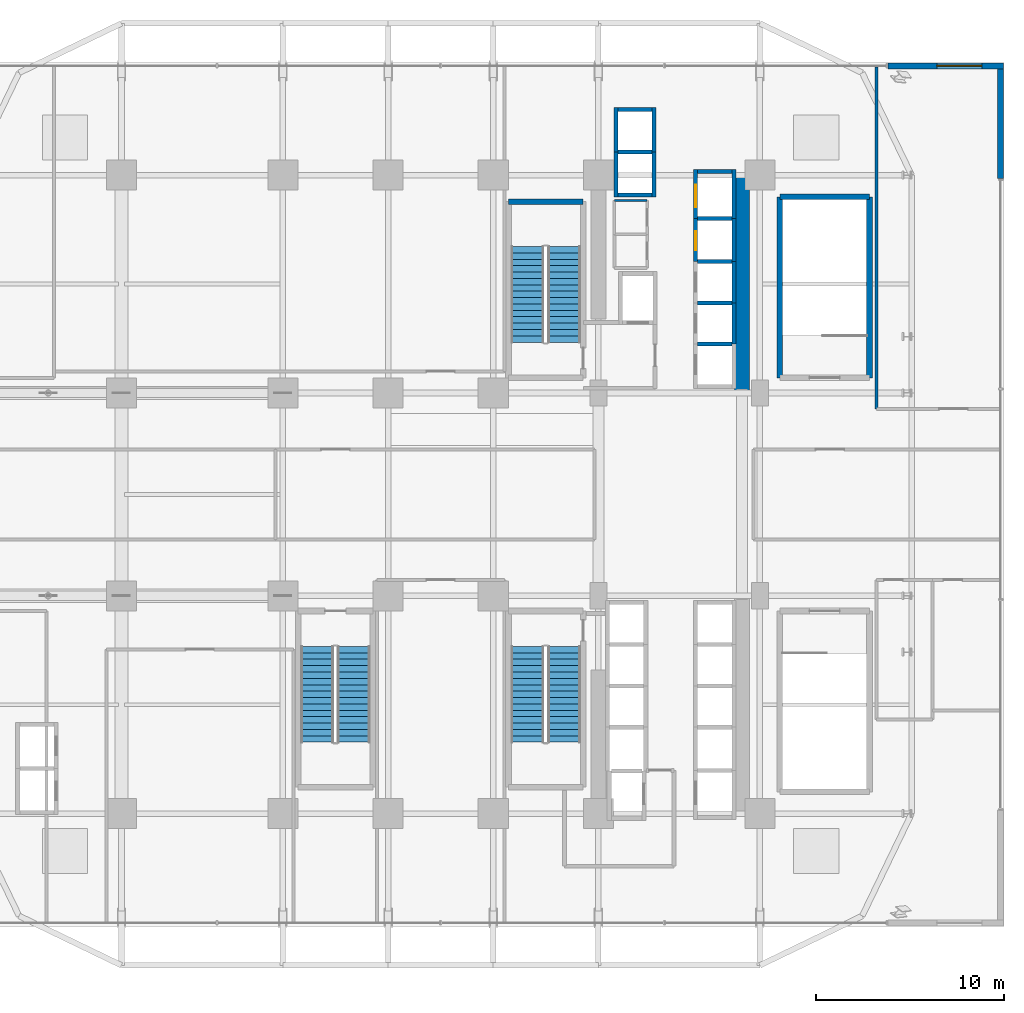
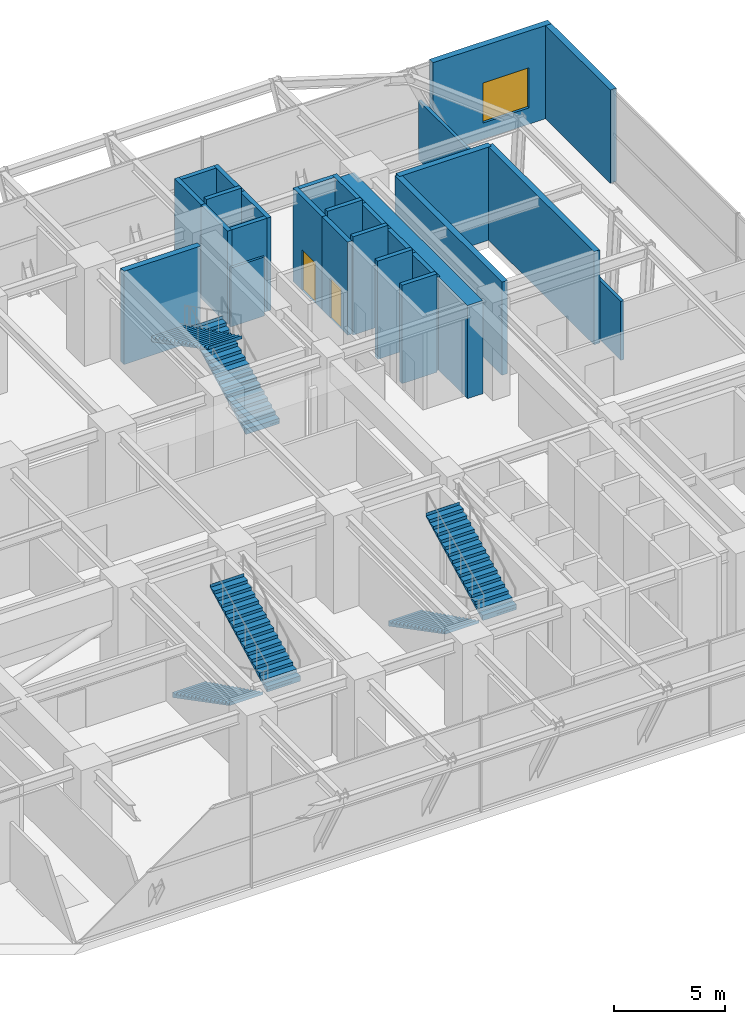
# One storey, part 23 of 29: 27 walls, 6 stair flights, 2 doors, 1 window, 3 openings, 3 elements without a shape of their own.
"""IFC4 building model written with IfcOpenShell, lengths in metres."""

from ifc_helpers import new_model, si_unit, direction, frame, frame_2d, origin, place, context, subcontext, project, spatial, polyline, rectangle, outline, extrude, source, transform, mapped, material, layer, layer_set, type_object, element, fill, aggregate, save


model = new_model("IFC4")

# Units and contexts
model_context = context("Model", 3, precision=1e-05, world=origin(), true_north=direction((0.0, 1.0)))
body_context = subcontext(model_context, "Body", "Model", "MODEL_VIEW")
ifc_project = project(units=[si_unit("LENGTHUNIT", "METRE"), si_unit("AREAUNIT", "SQUARE_METRE"), si_unit("VOLUMEUNIT", "CUBIC_METRE"), si_unit("PLANEANGLEUNIT", "RADIAN"), si_unit("MASSUNIT", "GRAM", prefix="KILO")], contexts=[model_context])

# Site, building, storey
site_placement = place(None, origin())
site = spatial("IfcSite", under=ifc_project, at=site_placement, CompositionType="ELEMENT")
building_placement = place(site_placement, origin())
building = spatial("IfcBuilding", under=site, at=building_placement, Name="Nahalor Promenade Grand Hotel", CompositionType="ELEMENT")
storey_placement = place(building_placement, frame((0.0, 0.0, 27.0)))
storey = spatial("IfcBuildingStorey", under=building, at=storey_placement, Name="L05", CompositionType="ELEMENT", Elevation=27.0)

# Walls
ifc_material_1 = material(Name="Concrete B-70 (C60/75)", Category="concrete")
ifc_layer_1 = layer(ifc_material_1, 0.800048828125)
ifc_layer_set_1 = layer_set([ifc_layer_1], Name="Concrete B-70 (C60/75)")
wall_type_1 = type_object("IfcWallType", Name="Wall-CoreShear-800", PredefinedType="SHEAR", material=ifc_layer_set_1)
shared_shape_1 = source(origin(), body_context, "Body", "SweptSolid", [
    extrude(rectangle(XDim=11.60009765625, YDim=0.800048828125, at=frame_2d((5.800048828125, 0.0))), origin(), (0.0, 0.0, 1.0), 5.1201171875),
])
wall_1_placement = place(storey_placement, frame((16.050048828125, 5.39990234375, 0.0), z_axis=(0.0, 0.0, 1.0), x_axis=(0.0, 1.0, 0.0)))
element("IfcWall", 1, at=wall_1_placement, inside=storey, type_object=wall_type_1, Name="CWALL-L05-NE", PredefinedType="SHEAR", context=body_context, shape_type="MappedRepresentation", body=[
    mapped(shared_shape_1, transform((0.0, 0.0, 0.0), scale=1.0)),
])
ifc_material_2 = material(Name="Concrete B-50 (C40/50)", Category="concrete")
ifc_layer_2 = layer(ifc_material_2, 0.300048828125)
ifc_layer_set_2 = layer_set([ifc_layer_2], Name="Concrete B-50 (C40/50)")
wall_type_2 = type_object("IfcWallType", Name="Wall-ShaftShear-300", PredefinedType="SHEAR", material=ifc_layer_set_2)
shared_shape_2 = source(origin(), body_context, "Body", "SweptSolid", [
    extrude(rectangle(XDim=3.97998046875, YDim=0.300048828125, at=frame_2d((1.989990234375, 0.0))), origin(), (0.0, 0.0, 1.0), 5.1201171875),
])
wall_2_placement = place(storey_placement, frame((3.610107421875, 15.590087890625, 0.0), z_axis=(0.0, 0.0, 1.0), x_axis=(1.0, 0.0, 0.0)))
element("IfcWall", 2, at=wall_2_placement, inside=storey, type_object=wall_type_2, Name="L05 Exit Stair ST1 Shaft Wall N", PredefinedType="SHEAR", context=body_context, shape_type="MappedRepresentation", body=[
    mapped(shared_shape_2, transform((0.0, 0.0, 0.0), scale=1.0)),
])
shared_shape_3 = source(origin(), body_context, "Body", "SweptSolid", [
    extrude(rectangle(XDim=4.780029296875, YDim=0.300048828125, at=frame_2d((2.39013671875, 0.0))), origin(), (0.0, 0.0, 1.0), 5.1201171875),
])
wall_3_placement = place(storey_placement, frame((18.06005859375, 15.840087890625, 0.0), z_axis=(0.0, 0.0, 1.0), x_axis=(1.0, 0.0, 0.0)))
element("IfcWall", 3, at=wall_3_placement, inside=storey, type_object=wall_type_2, Name="L05 Exit Stair ST4 Shaft Wall N", PredefinedType="SHEAR", context=body_context, shape_type="MappedRepresentation", body=[
    mapped(shared_shape_3, transform((0.0, 0.0, 0.0), scale=1.0)),
])
shared_shape_4 = source(origin(), body_context, "Body", "SweptSolid", [
    extrude(rectangle(XDim=9.630126953125, YDim=0.300048828125, at=frame_2d((4.81494140625, 0.0))), origin(), (0.0, 0.0, 1.0), 5.1201171875),
])
for number, where, z_axis, x_axis, name in (
    (4, (18.06005859375, 6.2099609375, 0.0), (0.0, 0.0, 1.0), (0.0, 1.0, 0.0), "L05 Exit Stair ST4 Shaft Wall W"),
    (5, (22.840087890625, 6.2099609375, 0.0), (0.0, 0.0, 1.0), (0.0, 1.0, 0.0), "L05 Exit Stair ST4 Shaft Wall E"),
):
    element("IfcWall", number, at=place(storey_placement, frame(where, z_axis=z_axis, x_axis=x_axis)), inside=storey, type_object=wall_type_2, Name=name, PredefinedType="SHEAR", context=body_context, shape_type="MappedRepresentation", body=[
        mapped(shared_shape_4, transform((0.0, 0.0, 0.0), scale=1.0)),
    ])
ifc_layer_3 = layer(ifc_material_2, 0.219970703125)
ifc_layer_set_3 = layer_set([ifc_layer_3], Name="Concrete B-50 (C40/50)")
wall_type_3 = type_object("IfcWallType", Name="Wall-LiftShaft-220", PredefinedType="SHEAR", material=ifc_layer_set_3)
shared_shape_5 = source(origin(), body_context, "Body", "SweptSolid", [
    extrude(rectangle(XDim=1.820068359375, YDim=0.219970703125, at=frame_2d((0.91015625, 0.0))), origin(), (0.0, 0.0, 1.0), 5.39990234375),
])
for number, where, z_axis, x_axis, name in (
    (6, (13.68994140625, 8.0, 0.0), (0.0, 0.0, 1.0), (1.0, 0.0, 0.0), "L05 Lift PL1 Hoistway Wall N"),
    (7, (13.68994140625, 10.199951171875, 0.0), (0.0, 0.0, 1.0), (1.0, 0.0, 0.0), "L05 Lift PL2 Hoistway Wall N"),
    (8, (13.68994140625, 12.39990234375, 0.0), (0.0, 0.0, 1.0), (1.0, 0.0, 0.0), "L05 Lift PL3 Hoistway Wall N"),
    (9, (13.68994140625, 14.699951171875, 0.0), (0.0, 0.0, 1.0), (1.0, 0.0, 0.0), "L05 Lift PL4 Hoistway Wall N"),
    (10, (9.43994140625, 18.22509765625, 0.0), (0.0, 0.0, 1.0), (1.0, 0.0, 0.0), "L05 Lift OB1 Hoistway Wall N"),
):
    element("IfcWall", number, at=place(storey_placement, frame(where, z_axis=z_axis, x_axis=x_axis)), inside=storey, type_object=wall_type_3, Name=name, PredefinedType="SHEAR", context=body_context, shape_type="MappedRepresentation", body=[
        mapped(shared_shape_5, transform((0.0, 0.0, 0.0), scale=1.0)),
    ])
shared_shape_6 = source(origin(), body_context, "Body", "SweptSolid", [
    extrude(rectangle(XDim=1.820068359375, YDim=0.219970703125, at=frame_2d((0.91015625, 0.0))), origin(), (0.0, 0.0, 1.0), 5.1201171875),
])
for number, where, z_axis, x_axis, name in (
    (11, (9.43994140625, 15.949951171875, 0.0), (0.0, 0.0, 1.0), (1.0, 0.0, 0.0), "L05 Lift OB1 Hoistway Wall S"),
    (12, (9.43994140625, 20.5, 0.0), (0.0, 0.0, 1.0), (1.0, 0.0, 0.0), "L05 Lift OB2 Hoistway Wall N"),
    (13, (13.68994140625, 17.199951171875, 0.0), (0.0, 0.0, 1.0), (1.0, 0.0, 0.0), "L05 Lift SV1 Hoistway Wall N"),
):
    element("IfcWall", number, at=place(storey_placement, frame(where, z_axis=z_axis, x_axis=x_axis)), inside=storey, type_object=wall_type_3, Name=name, PredefinedType="SHEAR", context=body_context, shape_type="MappedRepresentation", body=[
        mapped(shared_shape_6, transform((0.0, 0.0, 0.0), scale=1.0)),
    ])
shared_shape_7 = source(origin(), body_context, "Body", "SweptSolid", [
    extrude(rectangle(XDim=2.199951171875, YDim=0.219970703125, at=frame_2d((1.10009765625, 0.0))), origin(), (0.0, 0.0, 1.0), 5.1201171875),
])
for number, where, z_axis, x_axis, name in (
    (14, (15.6201171875, 8.0, 0.0), (0.0, 0.0, 1.0), (0.0, 1.0, 0.0), "L05 Lift PL2 Hoistway Wall E"),
    (15, (15.6201171875, 10.199951171875, 0.0), (0.0, 0.0, 1.0), (0.0, 1.0, 0.0), "L05 Lift PL3 Hoistway Wall E"),
):
    element("IfcWall", number, at=place(storey_placement, frame(where, z_axis=z_axis, x_axis=x_axis)), inside=storey, type_object=wall_type_3, Name=name, PredefinedType="SHEAR", context=body_context, shape_type="MappedRepresentation", body=[
        mapped(shared_shape_7, transform((0.0, 0.0, 0.0), scale=1.0)),
    ])

# Wall, opening, door
shared_shape_8 = source(origin(), body_context, "Body", "SweptSolid", [
    extrude(rectangle(XDim=2.300048828125, YDim=0.219970703125, at=frame_2d((1.14990234375, 0.0))), origin(), (0.0, 0.0, 1.0), 5.1201171875),
])
wall_4_placement = place(storey_placement, frame((13.580078125, 12.39990234375, 0.0), z_axis=(0.0, 0.0, 1.0), x_axis=(0.0, 1.0, 0.0)))
wall_4 = element("IfcWall", 16, at=wall_4_placement, inside=storey, type_object=wall_type_3, Name="L05 Lift PL4 Hoistway Wall W", PredefinedType="SHEAR", context=body_context, shape_type="MappedRepresentation", body=[
    mapped(shared_shape_8, transform((0.0, 0.0, 0.0), scale=1.0)),
])
opening_1_placement = place(wall_4_placement, frame((0.60009765625, 0.0, 0.0)))
opening_1 = element("IfcOpeningElement", 17, at=opening_1_placement, cuts=wall_4, Name="Opening LD-01", PredefinedType="OPENING", context=body_context, shape_type="SweptSolid", body=[
    extrude(rectangle(XDim=1.0, YDim=2.199951171875, at=frame_2d((0.5, 1.10009765625))), frame((0.0, 0.119873046875, 0.0), z_axis=(0.0, -1.0, 0.0), x_axis=(1.0, 0.0, 0.0)), (0.0, 0.0, 1.0), 0.239990234375),
])
ifc_material_3 = material(Name="Steel S355JR", Category="steel")
door_type_1 = type_object("IfcDoorType", Name="Door-LiftLanding-1000", OperationType="DOUBLE_DOOR_SLIDING", PredefinedType="DOOR", material=ifc_material_3)
shared_shape_9 = source(origin(), body_context, "Body", "SweptSolid", [
    extrude(rectangle(XDim=1.0, YDim=2.199951171875, at=frame_2d((0.5, 1.10009765625))), frame((0.0, 0.02490234375, 0.0), z_axis=(0.0, -1.0, 0.0), x_axis=(1.0, 0.0, 0.0)), (0.0, 0.0, 1.0), 0.050048828125),
])
door_1_placement = place(opening_1_placement, origin())
door_1 = element("IfcDoor", 18, at=door_1_placement, inside=storey, type_object=door_type_1, Name="DR-LIFT-PL4-L05", OperationType="DOUBLE_DOOR_SLIDING", OverallHeight=2.199951171875, OverallWidth=1.0, PredefinedType="DOOR", context=body_context, shape_type="MappedRepresentation", body=[
    mapped(shared_shape_9, transform((0.0, 0.0, 0.0), scale=1.0)),
])
fill(opening_1, door_1)

# Walls
wall_5_placement = place(storey_placement, frame((15.6201171875, 12.39990234375, 0.0), z_axis=(0.0, 0.0, 1.0), x_axis=(0.0, 1.0, 0.0)))
element("IfcWall", 19, at=wall_5_placement, inside=storey, type_object=wall_type_3, Name="L05 Lift PL4 Hoistway Wall E", PredefinedType="SHEAR", context=body_context, shape_type="MappedRepresentation", body=[
    mapped(shared_shape_8, transform((0.0, 0.0, 0.0), scale=1.0)),
])
shared_shape_10 = source(origin(), body_context, "Body", "SweptSolid", [
    extrude(rectangle(XDim=2.385009765625, YDim=0.219970703125, at=frame_2d((1.1923828125, 0.0))), origin(), (0.0, 0.0, 1.0), 5.1201171875),
])
for number, where, z_axis, x_axis, name in (
    (20, (9.330078125, 15.840087890625, 0.0), (0.0, 0.0, 1.0), (0.0, 1.0, 0.0), "L05 Lift OB1 Hoistway Wall W"),
    (21, (11.3701171875, 15.840087890625, 0.0), (0.0, 0.0, 1.0), (0.0, 1.0, 0.0), "L05 Lift OB1 Hoistway Wall E"),
    (22, (9.330078125, 18.22509765625, 0.0), (0.0, 0.0, 1.0), (0.0, 1.0, 0.0), "L05 Lift OB2 Hoistway Wall W"),
    (23, (11.3701171875, 18.22509765625, 0.0), (0.0, 0.0, 1.0), (0.0, 1.0, 0.0), "L05 Lift OB2 Hoistway Wall E"),
):
    element("IfcWall", number, at=place(storey_placement, frame(where, z_axis=z_axis, x_axis=x_axis)), inside=storey, type_object=wall_type_3, Name=name, PredefinedType="SHEAR", context=body_context, shape_type="MappedRepresentation", body=[
        mapped(shared_shape_10, transform((0.0, 0.0, 0.0), scale=1.0)),
    ])

# Wall, opening, door
shared_shape_11 = source(origin(), body_context, "Body", "SweptSolid", [
    extrude(rectangle(XDim=2.610107421875, YDim=0.219970703125, at=frame_2d((1.30517578125, 0.0))), origin(), (0.0, 0.0, 1.0), 5.1201171875),
])
wall_6_placement = place(storey_placement, frame((13.580078125, 14.699951171875, 0.0), z_axis=(0.0, 0.0, 1.0), x_axis=(0.0, 1.0, 0.0)))
wall_6 = element("IfcWall", 24, at=wall_6_placement, inside=storey, type_object=wall_type_3, Name="L05 Lift SV1 Hoistway Wall W", PredefinedType="SHEAR", context=body_context, shape_type="MappedRepresentation", body=[
    mapped(shared_shape_11, transform((0.0, 0.0, 0.0), scale=1.0)),
])
opening_2_placement = place(wall_6_placement, frame((0.60009765625, 0.0, 0.0)))
opening_2 = element("IfcOpeningElement", 25, at=opening_2_placement, cuts=wall_6, Name="Opening LD-03", PredefinedType="OPENING", context=body_context, shape_type="SweptSolid", body=[
    extrude(rectangle(XDim=1.199951171875, YDim=2.199951171875, at=frame_2d((0.60009765625, 1.10009765625))), frame((0.0, 0.119873046875, 0.0), z_axis=(0.0, -1.0, 0.0), x_axis=(1.0, 0.0, 0.0)), (0.0, 0.0, 1.0), 0.239990234375),
])
door_type_2 = type_object("IfcDoorType", Name="Door-LiftService-1200", OperationType="DOUBLE_DOOR_SLIDING", PredefinedType="DOOR", material=ifc_material_3)
shared_shape_12 = source(origin(), body_context, "Body", "SweptSolid", [
    extrude(rectangle(XDim=1.199951171875, YDim=2.199951171875, at=frame_2d((0.60009765625, 1.10009765625))), frame((0.0, 0.02490234375, 0.0), z_axis=(0.0, -1.0, 0.0), x_axis=(1.0, 0.0, 0.0)), (0.0, 0.0, 1.0), 0.050048828125),
])
door_2_placement = place(opening_2_placement, origin())
door_2 = element("IfcDoor", 26, at=door_2_placement, inside=storey, type_object=door_type_2, Name="DR-LIFT-SV1-L05", OperationType="DOUBLE_DOOR_SLIDING", OverallHeight=2.199951171875, OverallWidth=1.199951171875, PredefinedType="DOOR", context=body_context, shape_type="MappedRepresentation", body=[
    mapped(shared_shape_12, transform((0.0, 0.0, 0.0), scale=1.0)),
])
fill(opening_2, door_2)

# Wall
wall_7_placement = place(storey_placement, frame((15.6201171875, 14.699951171875, 0.0), z_axis=(0.0, 0.0, 1.0), x_axis=(0.0, 1.0, 0.0)))
element("IfcWall", 27, at=wall_7_placement, inside=storey, type_object=wall_type_3, Name="L05 Lift SV1 Hoistway Wall E", PredefinedType="SHEAR", context=body_context, shape_type="MappedRepresentation", body=[
    mapped(shared_shape_11, transform((0.0, 0.0, 0.0), scale=1.0)),
])

# Wall, opening, window
ifc_material_4 = material(Name="Concrete B-40 (C32/40)", Category="concrete")
ifc_layer_4 = layer(ifc_material_4, 0.320068359375)
ifc_layer_set_4 = layer_set([ifc_layer_4], Name="Concrete B-40 (C32/40)")
wall_type_4 = type_object("IfcWallType", Name="Wall-LimestonePier-320", PredefinedType="STANDARD", material=ifc_layer_set_4)
shared_shape_13 = source(origin(), body_context, "Body", "SweptSolid", [
    extrude(rectangle(XDim=6.159912109375, YDim=0.320068359375, at=frame_2d((3.080078125, 0.0))), origin(), (0.0, 0.0, 1.0), 5.1201171875),
])
wall_8_placement = place(storey_placement, frame((23.820068359375, 22.820068359375, 0.0), z_axis=(0.0, 0.0, 1.0), x_axis=(1.0, 0.0, 0.0)))
wall_8 = element("IfcWall", 28, at=wall_8_placement, inside=storey, type_object=wall_type_4, Name="W-L05-CRN-NE-X", PredefinedType="STANDARD", context=body_context, shape_type="MappedRepresentation", body=[
    mapped(shared_shape_13, transform((0.0, 0.0, 0.0), scale=1.0)),
])
opening_3_placement = place(wall_8_placement, frame((2.60009765625, 0.0, 0.89990234375)))
opening_3 = element("IfcOpeningElement", 29, at=opening_3_placement, cuts=wall_8, Name="Opening WN-02", PredefinedType="OPENING", context=body_context, shape_type="SweptSolid", body=[
    extrude(rectangle(XDim=2.39990234375, YDim=2.199951171875, at=frame_2d((1.199951171875, 1.10009765625))), frame((0.0, 0.169921875, 0.0), z_axis=(0.0, -1.0, 0.0), x_axis=(1.0, 0.0, 0.0)), (0.0, 0.0, 1.0), 0.340087890625),
])
ifc_material_5 = material(Name="Low-E Laminated Solar Glass", Category="glass")
window_type = type_object("IfcWindowType", Name="Win-PodiumArch-2400x2200", PartitioningType="SINGLE_PANEL", PredefinedType="WINDOW", material=ifc_material_5)
shared_shape_14 = source(origin(), body_context, "Body", "SweptSolid", [
    extrude(rectangle(XDim=2.39990234375, YDim=2.199951171875, at=frame_2d((1.199951171875, 1.10009765625))), frame((0.0, 0.030029296875, 0.0), z_axis=(0.0, -1.0, 0.0), x_axis=(1.0, 0.0, 0.0)), (0.0, 0.0, 1.0), 0.06005859375),
])
window_placement = place(opening_3_placement, origin())
window = element("IfcWindow", 30, at=window_placement, inside=storey, type_object=window_type, Name="WN-L05-NE-X", OverallHeight=2.199951171875, OverallWidth=2.39990234375, PartitioningType="SINGLE_PANEL", PredefinedType="WINDOW", context=body_context, shape_type="MappedRepresentation", body=[
    mapped(shared_shape_14, transform((0.0, 0.0, 0.0), scale=1.0)),
])
fill(opening_3, window)

# Walls
shared_shape_15 = source(origin(), body_context, "Body", "SweptSolid", [
    extrude(rectangle(XDim=5.83984375, YDim=0.320068359375, at=frame_2d((2.919921875, 0.0))), origin(), (0.0, 0.0, 1.0), 5.1201171875),
])
wall_9_placement = place(storey_placement, frame((29.820068359375, 16.820068359375, 0.0), z_axis=(0.0, 0.0, 1.0), x_axis=(0.0, 1.0, 0.0)))
element("IfcWall", 31, at=wall_9_placement, inside=storey, type_object=wall_type_4, Name="W-L05-CRN-NE-Y", PredefinedType="STANDARD", context=body_context, shape_type="MappedRepresentation", body=[
    mapped(shared_shape_15, transform((0.0, 0.0, 0.0), scale=1.0)),
])
ifc_material_6 = material(Name="Acoustic Mineral Gypsum", Category="gypsum")
ifc_layer_5 = layer(ifc_material_6, 0.1201171875)
ifc_layer_set_5 = layer_set([ifc_layer_5], Name="Acoustic Mineral Gypsum")
wall_type_5 = type_object("IfcWallType", Name="Wall-PartBath-120", PredefinedType="PARTITIONING", material=ifc_layer_set_5)
shared_shape_16 = source(origin(), body_context, "Body", "SweptSolid", [
    extrude(rectangle(XDim=1.75, YDim=0.1201171875, at=frame_2d((0.875, 0.0))), origin(), (0.0, 0.0, 1.0), 3.239990234375),
])
wall_10_placement = place(storey_placement, frame((9.25, 15.64990234375, 0.0), z_axis=(0.0, 0.0, 1.0), x_axis=(1.0, 0.0, 0.0)))
element("IfcWall", 32, at=wall_10_placement, inside=storey, type_object=wall_type_5, Name="W-L05-CK2B-N", PredefinedType="PARTITIONING", context=body_context, shape_type="MappedRepresentation", body=[
    mapped(shared_shape_16, transform((0.0, 0.0, 0.0), scale=1.0)),
])
ifc_layer_6 = layer(ifc_material_6, 0.159912109375)
ifc_layer_set_6 = layer_set([ifc_layer_6], Name="Acoustic Mineral Gypsum")
wall_type_6 = type_object("IfcWallType", Name="Wall-PartCorridor-160", PredefinedType="PARTITIONING", material=ifc_layer_set_6)
shared_shape_17 = source(origin(), body_context, "Body", "SweptSolid", [
    extrude(rectangle(XDim=18.2099609375, YDim=0.159912109375, at=frame_2d((9.10498046875, 0.0))), origin(), (0.0, 0.0, 1.0), 3.239990234375),
])
wall_11_placement = place(storey_placement, frame((23.199951171875, 4.550048828125, 0.0), z_axis=(0.0, 0.0, 1.0), x_axis=(0.0, 1.0, 0.0)))
element("IfcWall", 33, at=wall_11_placement, inside=storey, type_object=wall_type_6, Name="W-L05-PR09-W", PredefinedType="PARTITIONING", context=body_context, shape_type="MappedRepresentation", body=[
    mapped(shared_shape_17, transform((0.0, 0.0, 0.0), scale=1.0)),
])

# Stair, stair flights
stair_type_1 = type_object("IfcStairType", Name="Stair-ST1", PredefinedType="HALF_TURN_STAIR", material=ifc_material_2)
stair_1_placement = place(storey_placement, origin())
stair_1 = element("IfcStair", 34, at=stair_1_placement, inside=storey, type_object=stair_type_1, Name="L05 ST1", PredefinedType="HALF_TURN_STAIR")
ifc_layer_7 = layer(ifc_material_2, 0.179931640625)
ifc_layer_set_7 = layer_set([ifc_layer_7], Name="Concrete B-50 (C40/50)")
stair_flight_type_1 = type_object("IfcStairFlightType", Name="Flight-ST1", PredefinedType="STRAIGHT", material=ifc_layer_set_7)
shared_shape_18 = source(origin(), body_context, "Body", "SweptSolid", [
    extrude(outline(polyline([(-0.00390625, -0.1201171875), (-0.00390625, 0.0), (0.0, 0.0), (0.0, 0.168701171875), (0.340087890625, 0.168701171875), (0.340087890625, 0.33740234375), (0.679931640625, 0.33740234375), (0.679931640625, 0.50634765625), (1.02001953125, 0.50634765625), (1.02001953125, 0.675048828125), (1.360107421875, 0.675048828125), (1.360107421875, 0.84375), (1.699951171875, 0.84375), (1.699951171875, 1.012451171875), (2.0400390625, 1.012451171875), (2.0400390625, 1.18115234375), (2.3798828125, 1.18115234375), (2.3798828125, 1.35009765625), (2.719970703125, 1.35009765625), (2.719970703125, 1.518798828125), (3.06005859375, 1.518798828125), (3.06005859375, 1.6875), (3.39990234375, 1.6875), (3.39990234375, 1.856201171875), (3.739990234375, 1.856201171875), (3.739990234375, 2.02490234375), (4.080078125, 2.02490234375), (4.080078125, 2.19384765625), (4.419921875, 2.19384765625), (4.419921875, 2.362548828125), (4.760009765625, 2.362548828125), (4.760009765625, 2.53125), (5.10009765625, 2.53125), (5.10009765625, 2.699951171875), (5.10400390625, 2.699951171875), (5.10400390625, 2.52001953125), (0.02001953125, -0.1201171875), (-0.00390625, -0.1201171875)])), frame((0.0, 0.875, 0.0), z_axis=(0.0, -1.0, 0.0), x_axis=(1.0, 0.0, 0.0)), (0.0, 0.0, 1.0), 1.75),
])
stair_flight_1_placement = place(storey_placement, frame((6.574951171875, 8.10009765625, 0.0), z_axis=(0.0, 0.0, 1.0), x_axis=(0.0, 1.0, 0.0)))
stair_flight_1 = element("IfcStairFlight", 35, at=stair_flight_1_placement, type_object=stair_flight_type_1, Name="ST1 flight 1", NumberOfRisers=16, NumberOfTreads=15, PredefinedType="STRAIGHT", RiserHeight=0.16875, TreadLength=0.34, context=body_context, shape_type="MappedRepresentation", body=[
    mapped(shared_shape_18, transform((0.0, 0.0, 0.0), scale=1.0)),
])
stair_flight_2_placement = place(storey_placement, frame((4.625, 13.199951171875, 2.699951171875), z_axis=(0.0, 0.0, 1.0), x_axis=(0.0, -1.0, 0.0)))
stair_flight_2 = element("IfcStairFlight", 36, at=stair_flight_2_placement, type_object=stair_flight_type_1, Name="ST1 flight 2", NumberOfRisers=16, NumberOfTreads=15, PredefinedType="STRAIGHT", RiserHeight=0.16875, TreadLength=0.34, context=body_context, shape_type="MappedRepresentation", body=[
    mapped(shared_shape_18, transform((0.0, 0.0, 0.0), scale=1.0)),
])
aggregate(stair_1, [stair_flight_1, stair_flight_2])

stair_type_2 = type_object("IfcStairType", Name="Stair-ST2", PredefinedType="HALF_TURN_STAIR", material=ifc_material_2)
stair_2_placement = place(storey_placement, origin())
stair_2 = element("IfcStair", 37, at=stair_2_placement, inside=storey, type_object=stair_type_2, Name="L05 ST2", PredefinedType="HALF_TURN_STAIR")
ifc_layer_8 = layer(ifc_material_2, 0.18994140625)
ifc_layer_set_8 = layer_set([ifc_layer_8], Name="Concrete B-50 (C40/50)")
stair_flight_type_2 = type_object("IfcStairFlightType", Name="Flight-ST2", PredefinedType="STRAIGHT", material=ifc_layer_set_8)
shared_shape_19 = source(origin(), body_context, "Body", "SweptSolid", [
    extrude(outline(polyline([(-0.00390625, -0.1201171875), (-0.00390625, 0.0), (0.0, 0.0), (0.0, 0.168701171875), (0.340087890625, 0.168701171875), (0.340087890625, 0.33740234375), (0.679931640625, 0.33740234375), (0.679931640625, 0.50634765625), (1.02001953125, 0.50634765625), (1.02001953125, 0.675048828125), (1.360107421875, 0.675048828125), (1.360107421875, 0.84375), (1.699951171875, 0.84375), (1.699951171875, 1.012451171875), (2.0400390625, 1.012451171875), (2.0400390625, 1.18115234375), (2.3798828125, 1.18115234375), (2.3798828125, 1.35009765625), (2.719970703125, 1.35009765625), (2.719970703125, 1.518798828125), (3.06005859375, 1.518798828125), (3.06005859375, 1.6875), (3.39990234375, 1.6875), (3.39990234375, 1.856201171875), (3.739990234375, 1.856201171875), (3.739990234375, 2.02490234375), (4.080078125, 2.02490234375), (4.080078125, 2.19384765625), (4.419921875, 2.19384765625), (4.419921875, 2.362548828125), (4.760009765625, 2.362548828125), (4.760009765625, 2.53125), (5.10009765625, 2.53125), (5.10009765625, 2.699951171875), (5.10400390625, 2.699951171875), (5.10400390625, 2.52001953125), (0.02001953125, -0.1201171875), (-0.00390625, -0.1201171875)])), frame((0.0, 0.875, 0.0), z_axis=(0.0, -1.0, 0.0), x_axis=(1.0, 0.0, 0.0)), (0.0, 0.0, 1.0), 1.75),
])
stair_flight_3_placement = place(storey_placement, frame((4.625, -8.10009765625, 0.0), z_axis=(0.0, 0.0, 1.0), x_axis=(0.0, -1.0, 0.0)))
stair_flight_3 = element("IfcStairFlight", 38, at=stair_flight_3_placement, type_object=stair_flight_type_2, Name="ST2 flight 1", NumberOfRisers=16, NumberOfTreads=15, PredefinedType="STRAIGHT", RiserHeight=0.16875, TreadLength=0.34, context=body_context, shape_type="MappedRepresentation", body=[
    mapped(shared_shape_19, transform((0.0, 0.0, 0.0), scale=1.0)),
])
stair_flight_4_placement = place(storey_placement, frame((6.574951171875, -13.199951171875, 2.699951171875), z_axis=(0.0, 0.0, 1.0), x_axis=(0.0, 1.0, 0.0)))
stair_flight_4 = element("IfcStairFlight", 39, at=stair_flight_4_placement, type_object=stair_flight_type_2, Name="ST2 flight 2", NumberOfRisers=16, NumberOfTreads=15, PredefinedType="STRAIGHT", RiserHeight=0.16875, TreadLength=0.34, context=body_context, shape_type="MappedRepresentation", body=[
    mapped(shared_shape_19, transform((0.0, 0.0, 0.0), scale=1.0)),
])
aggregate(stair_2, [stair_flight_3, stair_flight_4])

stair_type_3 = type_object("IfcStairType", Name="Stair-ST3", PredefinedType="HALF_TURN_STAIR", material=ifc_material_2)
stair_3_placement = place(storey_placement, origin())
stair_3 = element("IfcStair", 40, at=stair_3_placement, inside=storey, type_object=stair_type_3, Name="L05 ST3", PredefinedType="HALF_TURN_STAIR")
ifc_layer_9 = layer(ifc_material_2, 0.199951171875)
ifc_layer_set_9 = layer_set([ifc_layer_9], Name="Concrete B-50 (C40/50)")
stair_flight_type_3 = type_object("IfcStairFlightType", Name="Flight-ST3", PredefinedType="STRAIGHT", material=ifc_layer_set_9)
shared_shape_20 = source(origin(), body_context, "Body", "SweptSolid", [
    extrude(outline(polyline([(-0.00390625, -0.1201171875), (-0.00390625, 0.0), (0.0, 0.0), (0.0, 0.168701171875), (0.340087890625, 0.168701171875), (0.340087890625, 0.33740234375), (0.679931640625, 0.33740234375), (0.679931640625, 0.50634765625), (1.02001953125, 0.50634765625), (1.02001953125, 0.675048828125), (1.360107421875, 0.675048828125), (1.360107421875, 0.84375), (1.699951171875, 0.84375), (1.699951171875, 1.012451171875), (2.0400390625, 1.012451171875), (2.0400390625, 1.18115234375), (2.3798828125, 1.18115234375), (2.3798828125, 1.35009765625), (2.719970703125, 1.35009765625), (2.719970703125, 1.518798828125), (3.06005859375, 1.518798828125), (3.06005859375, 1.6875), (3.39990234375, 1.6875), (3.39990234375, 1.856201171875), (3.739990234375, 1.856201171875), (3.739990234375, 2.02490234375), (4.080078125, 2.02490234375), (4.080078125, 2.19384765625), (4.419921875, 2.19384765625), (4.419921875, 2.362548828125), (4.760009765625, 2.362548828125), (4.760009765625, 2.53125), (5.10009765625, 2.53125), (5.10009765625, 2.699951171875), (5.10400390625, 2.699951171875), (5.10400390625, 2.52001953125), (0.02001953125, -0.1201171875), (-0.00390625, -0.1201171875)])), frame((0.0, 0.875, 0.0), z_axis=(0.0, -1.0, 0.0), x_axis=(1.0, 0.0, 0.0)), (0.0, 0.0, 1.0), 1.75),
])
stair_flight_5_placement = place(storey_placement, frame((-6.574951171875, -8.10009765625, 0.0), z_axis=(0.0, 0.0, 1.0), x_axis=(0.0, -1.0, 0.0)))
stair_flight_5 = element("IfcStairFlight", 41, at=stair_flight_5_placement, type_object=stair_flight_type_3, Name="ST3 flight 1", NumberOfRisers=16, NumberOfTreads=15, PredefinedType="STRAIGHT", RiserHeight=0.16875, TreadLength=0.34, context=body_context, shape_type="MappedRepresentation", body=[
    mapped(shared_shape_20, transform((0.0, 0.0, 0.0), scale=1.0)),
])
stair_flight_6_placement = place(storey_placement, frame((-4.625, -13.199951171875, 2.699951171875), z_axis=(0.0, 0.0, 1.0), x_axis=(0.0, 1.0, 0.0)))
stair_flight_6 = element("IfcStairFlight", 42, at=stair_flight_6_placement, type_object=stair_flight_type_3, Name="ST3 flight 2", NumberOfRisers=16, NumberOfTreads=15, PredefinedType="STRAIGHT", RiserHeight=0.16875, TreadLength=0.34, context=body_context, shape_type="MappedRepresentation", body=[
    mapped(shared_shape_20, transform((0.0, 0.0, 0.0), scale=1.0)),
])
aggregate(stair_3, [stair_flight_5, stair_flight_6])

save(model, "model.ifc")
